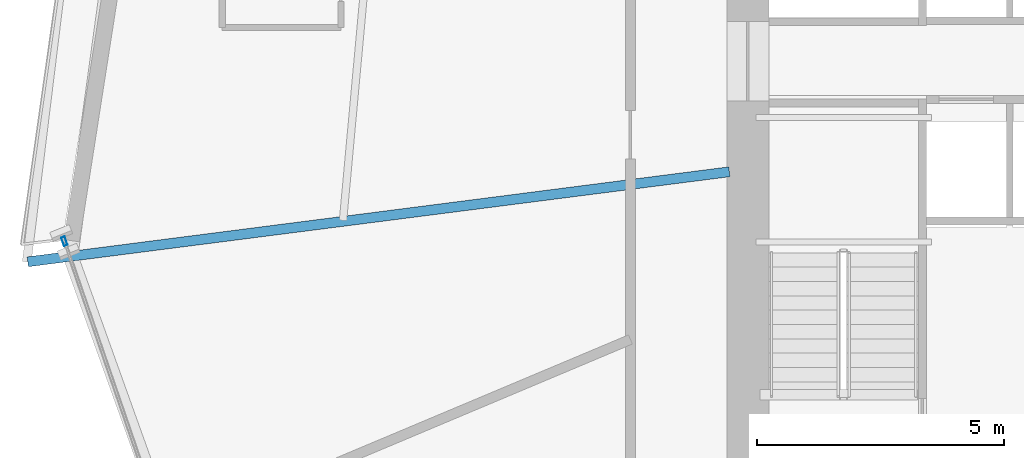
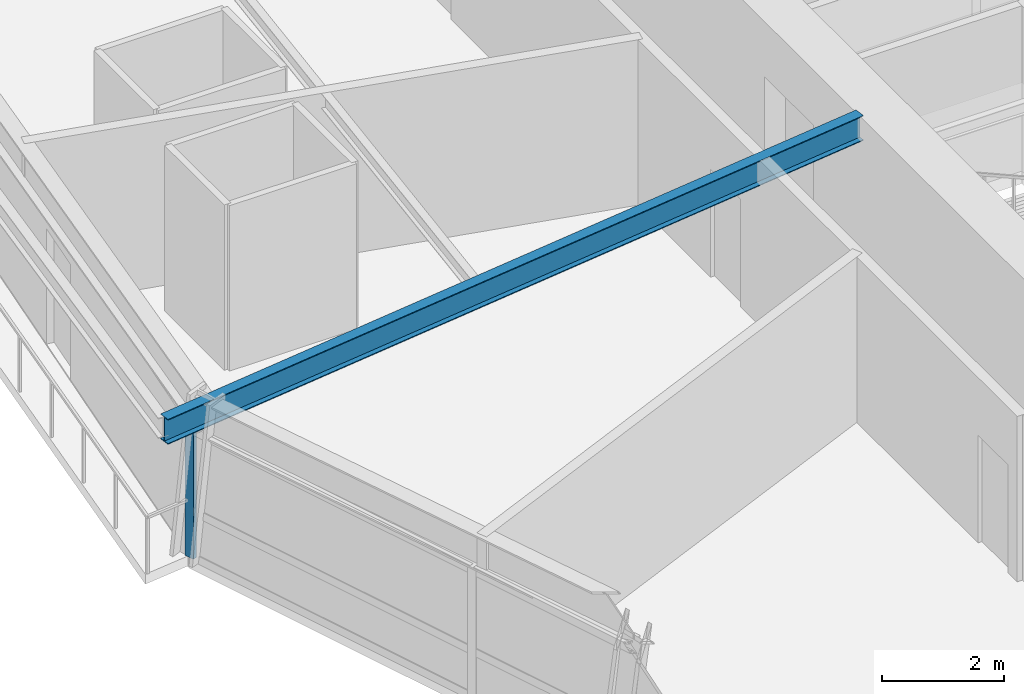
# One storey, part 6 of 22: 1 beam, 1 member, 1 element without a shape of its own.
"""IFC4 building model written with IfcOpenShell, lengths in metres."""

from ifc_helpers import new_model, si_unit, direction, frame, origin, origin_2d, place, context, subcontext, project, spatial, hollow_rectangle, i_section, extrude, source, transform, mapped, material, material_profile, profile_set, type_object, element, aggregate, save


model = new_model("IFC4")

# Units and contexts
model_context = context("Model", 3, precision=1e-05, world=origin(), true_north=direction((0.0, 1.0)))
body_context = subcontext(model_context, "Body", "Model", "MODEL_VIEW")
ifc_project = project(units=[si_unit("LENGTHUNIT", "METRE"), si_unit("AREAUNIT", "SQUARE_METRE"), si_unit("VOLUMEUNIT", "CUBIC_METRE"), si_unit("PLANEANGLEUNIT", "RADIAN"), si_unit("MASSUNIT", "GRAM", prefix="KILO")], contexts=[model_context])

# Site, building, storey
site_placement = place(None, origin())
site = spatial("IfcSite", under=ifc_project, at=site_placement, CompositionType="ELEMENT")
building_placement = place(site_placement, origin())
building = spatial("IfcBuilding", under=site, at=building_placement, Name="Olszyna Solenne Hotel", CompositionType="ELEMENT")
storey_placement = place(building_placement, frame((0.0, 0.0, 61.25)))
storey = spatial("IfcBuildingStorey", under=building, at=storey_placement, Name="L15", CompositionType="ELEMENT", Elevation=61.25)

# Beam
ifc_material_1 = material(Name="Steel S355J2", Category="steel")
ifc_material_profile_1 = material_profile(ifc_material_1, i_section(OverallWidth=0.199951171875, OverallDepth=0.5, WebThickness=0.01025390625, FlangeThickness=0.01611328125, at=origin_2d()), Name="IPE 500", Category="load-bearing")
ifc_profile_set_1 = profile_set([ifc_material_profile_1], Name="Steel S355J2")
beam_type = type_object("IfcBeamType", Name="BM-F3", PredefinedType="BEAM", material=ifc_profile_set_1)
shared_shape_1 = source(origin(), body_context, "Body", "SweptSolid", [
    extrude(i_section(OverallWidth=0.199951171875, OverallDepth=0.5, WebThickness=0.01025390625, FlangeThickness=0.01611328125, at=origin_2d()), origin(), (0.0, 0.0, 1.0), 14.295654296875),
])
beam_placement = place(storey_placement, frame((15.1201171875, 23.66748046875, 3.050048828125), z_axis=(0.991868790407, 0.12726469509, 0.0), x_axis=(-0.12726469509, 0.991868790407, 0.0)))
element("IfcBeam", 1, at=beam_placement, inside=storey, type_object=beam_type, Name="Radial floor girder BM-F3 B-L15-0483", PredefinedType="BEAM", context=body_context, shape_type="MappedRepresentation", body=[
    mapped(shared_shape_1, transform((0.0, 0.0, 0.0), x_axis=(1.0, 0.0, 0.0), y_axis=(0.0, 1.0, 0.0), z_axis=(0.0, 0.0, 1.0), scale=1.0)),
])

# Curtain wall, member
ifc_material_2 = material(Name="Anodised bronze aluminium", Category="aluminium")
curtain_wall_type = type_object("IfcCurtainWallType", Name="CW-SYS-2", PredefinedType="NOTDEFINED", material=ifc_material_2)
curtain_wall_placement = place(storey_placement, origin())
curtain_wall = element("IfcCurtainWall", 2, at=curtain_wall_placement, inside=storey, type_object=curtain_wall_type, Name="Unitised curtain wall CW-SYS-2 CW-L15-01", PredefinedType="NOTDEFINED")
ifc_material_profile_2 = material_profile(ifc_material_2, hollow_rectangle(XDim=0.074951171875, YDim=0.179931640625, WallThickness=0.00439453125, at=origin_2d()), Name="MULL 180x75x4.5", Category="load-bearing")
ifc_profile_set_2 = profile_set([ifc_material_profile_2], Name="Anodised bronze aluminium")
member_type = type_object("IfcMemberType", Name="CW-M2", PredefinedType="MULLION", material=ifc_profile_set_2)
shared_shape_2 = source(origin(), body_context, "Body", "SweptSolid", [
    extrude(hollow_rectangle(XDim=0.074951171875, YDim=0.179931640625, WallThickness=0.00439453125, at=origin_2d()), origin(), (0.0, 0.0, 1.0), 2.592041015625),
])
member_placement = place(storey_placement, frame((15.859619140625, 24.084228515625, 0.0), z_axis=(0.0, 0.0, 1.0), x_axis=(0.945661432692, 0.325152971259, 0.0)))
member = element("IfcMember", 3, at=member_placement, type_object=member_type, Name="Curtain-wall mullion CW-M2 CM-L15-01-01", PredefinedType="MULLION", context=body_context, shape_type="MappedRepresentation", body=[
    mapped(shared_shape_2, transform((0.0, 0.0, 0.0), x_axis=(1.0, 0.0, 0.0), y_axis=(0.0, 1.0, 0.0), z_axis=(0.0, 0.0, 1.0), scale=1.0)),
])
aggregate(curtain_wall, [member])

save(model, "model.ifc")
